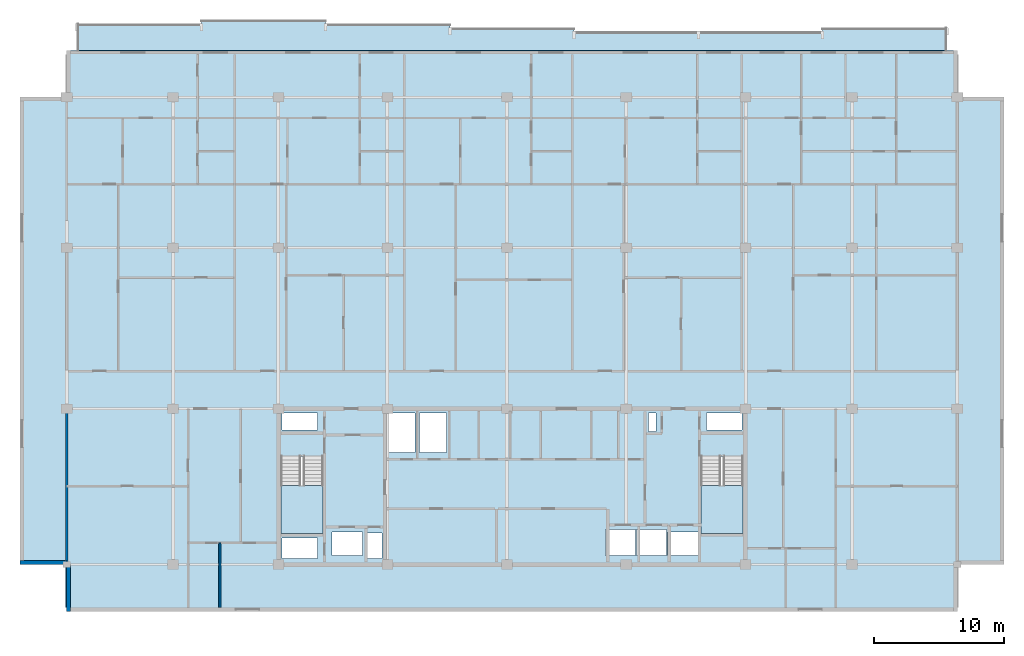
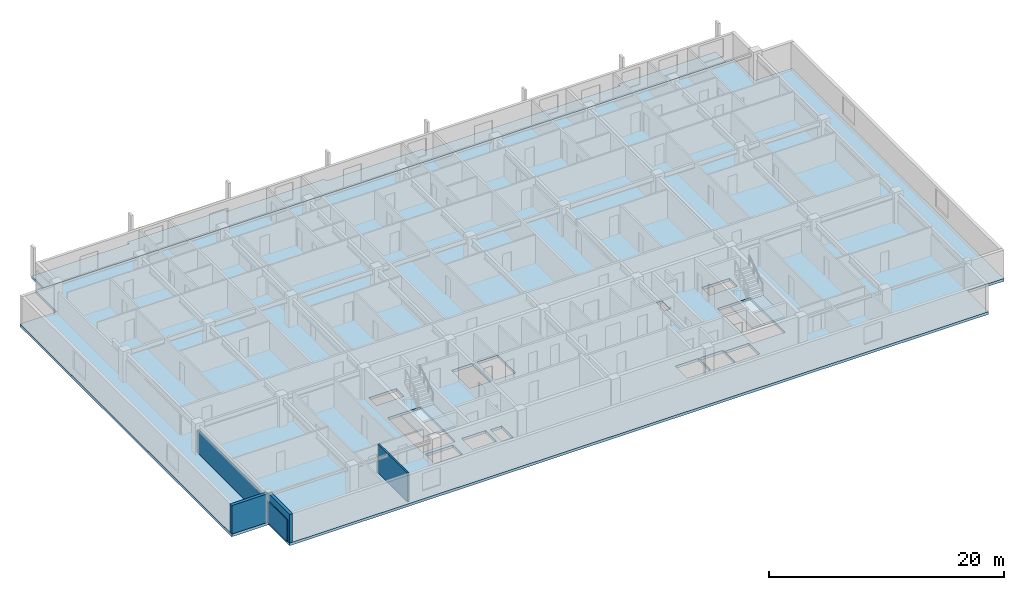
# One storey, part 2 of 11: 4 slabs, 4 walls, 2 elements without a shape of their own.
"""IFC4 building model written with IfcOpenShell, lengths in metres."""

from ifc_helpers import new_model, si_unit, direction, frame, frame_2d, origin, place, context, subcontext, project, spatial, polyline, rectangle, outline, extrude, material, layer, layer_set, type_object, element, aggregate, save


model = new_model("IFC4")

# Units and contexts
model_context = context("Model", 3, precision=1e-05, world=origin(), true_north=direction((0.0, 1.0)))
body_context = subcontext(model_context, "Body", "Model", "MODEL_VIEW")
ifc_project = project(units=[si_unit("LENGTHUNIT", "METRE"), si_unit("AREAUNIT", "SQUARE_METRE"), si_unit("VOLUMEUNIT", "CUBIC_METRE"), si_unit("PLANEANGLEUNIT", "RADIAN"), si_unit("MASSUNIT", "GRAM", prefix="KILO")], contexts=[model_context])

# Site, building, storey
site_placement = place(None, origin())
site = spatial("IfcSite", under=ifc_project, at=site_placement, CompositionType="ELEMENT")
building_placement = place(site_placement, origin())
building = spatial("IfcBuilding", under=site, at=building_placement, Name="Korimba Cascade Residences", CompositionType="ELEMENT")
storey_placement = place(building_placement, frame((0.0, 0.0, 210.85009765625)))
storey = spatial("IfcBuildingStorey", under=building, at=storey_placement, Name="L61", CompositionType="ELEMENT", Elevation=210.85009765625)

# Stair, slab
ifc_material_1 = material(Name="Concrete C50/60", Category="concrete")
stair_type_1 = type_object("IfcStairType", Name="STR-W1-18R-1806", PredefinedType="HALF_TURN_STAIR", material=ifc_material_1)
stair_1_placement = place(storey_placement, origin())
stair_1 = element("IfcStair", 1, at=stair_1_placement, inside=storey, type_object=stair_type_1, Name="L61 Tower 1 West Fire Stair ST-W1", PredefinedType="HALF_TURN_STAIR")
ifc_layer_1 = layer(ifc_material_1, 0.199951171875)
ifc_layer_set_1 = layer_set([ifc_layer_1], Name="Concrete C50/60")
slab_type_1 = type_object("IfcSlabType", Name="SLB-LND-220", PredefinedType="LANDING", material=ifc_layer_set_1)
slab_1_placement = place(storey_placement, frame((0.0, 0.0, 1.4248046875)))
slab_1 = element("IfcSlab", 2, at=slab_1_placement, type_object=slab_type_1, Name="ST-W1 landing 1", PredefinedType="LANDING", context=body_context, shape_type="SweptSolid", body=[
    extrude(outline(polyline([(76.300048828125, 61.31005859375), (76.300048828125, 57.60009765625), (79.5400390625, 57.60009765625), (79.5400390625, 61.31005859375), (76.300048828125, 61.31005859375)])), origin(), (0.0, 0.0, 1.0), 0.2001953125),
])
aggregate(stair_1, [slab_1])

stair_type_2 = type_object("IfcStairType", Name="STR-W2-18R-1806", PredefinedType="HALF_TURN_STAIR", material=ifc_material_1)
stair_2_placement = place(storey_placement, origin())
stair_2 = element("IfcStair", 3, at=stair_2_placement, inside=storey, type_object=stair_type_2, Name="L61 Tower 1 East Fire Stair ST-W2", PredefinedType="HALF_TURN_STAIR")
slab_2_placement = place(storey_placement, frame((0.0, 0.0, 1.4248046875)))
slab_2 = element("IfcSlab", 4, at=slab_2_placement, type_object=slab_type_1, Name="ST-W2 landing 1", PredefinedType="LANDING", context=body_context, shape_type="SweptSolid", body=[
    extrude(outline(polyline([(108.659912109375, 61.31005859375), (108.659912109375, 57.60009765625), (111.89990234375, 57.60009765625), (111.89990234375, 61.31005859375), (108.659912109375, 61.31005859375)])), origin(), (0.0, 0.0, 1.0), 0.2001953125),
])
aggregate(stair_2, [slab_2])

# Slabs
ifc_material_2 = material(Name="Precast concrete C40/50", Category="concrete")
ifc_layer_2 = layer(ifc_material_2, 0.239990234375)
ifc_layer_set_2 = layer_set([ifc_layer_2], Name="Precast concrete C40/50")
slab_type_2 = type_object("IfcSlabType", Name="SLB-LOG-240", PredefinedType="FLOOR", material=ifc_layer_set_2)
slab_3_placement = place(storey_placement, frame((0.0, 0.0, -0.239990234375)))
element("IfcSlab", 5, at=slab_3_placement, inside=storey, type_object=slab_type_2, Name="L61 Tower 1 North Loggia Slab", PredefinedType="FLOOR", context=body_context, shape_type="SweptSolid", body=[
    extrude(outline(polyline([(60.60009765625, 94.800048828125), (127.60009765625, 94.800048828125), (127.60009765625, 96.550048828125), (118.028564453125, 96.550048828125), (118.028564453125, 96.25), (98.8857421875, 96.25), (98.8857421875, 96.550048828125), (89.314208984375, 96.550048828125), (89.314208984375, 96.85009765625), (79.742919921875, 96.85009765625), (79.742919921875, 97.14990234375), (70.17138671875, 97.14990234375), (70.17138671875, 96.85009765625), (60.60009765625, 96.85009765625), (60.60009765625, 94.800048828125)])), origin(), (0.0, 0.0, 1.0), 0.239990234375),
])
ifc_layer_3 = layer(ifc_material_1, 0.280029296875)
ifc_layer_set_3 = layer_set([ifc_layer_3], Name="Concrete C50/60")
slab_type_3 = type_object("IfcSlabType", Name="SLB-TYP-280", PredefinedType="FLOOR", material=ifc_layer_set_3)
slab_4_placement = place(storey_placement, frame((0.0, 0.0, -0.280029296875)))
element("IfcSlab", 6, at=slab_4_placement, inside=storey, type_object=slab_type_3, Name="L61 Tower 1 Floor Slab", PredefinedType="FLOOR", context=body_context, shape_type="SweptSolid", body=[
    extrude(outline(polyline([(59.800048828125, 51.60009765625), (128.39990234375, 51.60009765625), (128.39990234375, 55.199951171875), (132.0, 55.199951171875), (132.0, 91.199951171875), (128.39990234375, 91.199951171875), (128.39990234375, 94.800048828125), (59.800048828125, 94.800048828125), (59.800048828125, 91.199951171875), (56.199951171875, 91.199951171875), (56.199951171875, 55.199951171875), (59.800048828125, 55.199951171875), (59.800048828125, 51.60009765625)]), holes=[polyline([(76.300048828125, 63.514892578125), (76.300048828125, 57.60009765625), (79.5400390625, 57.60009765625), (79.5400390625, 63.514892578125), (76.300048828125, 63.514892578125)]), polyline([(108.659912109375, 63.514892578125), (108.659912109375, 57.60009765625), (111.89990234375, 57.60009765625), (111.89990234375, 63.514892578125), (108.659912109375, 63.514892578125)]), polyline([(80.22998046875, 55.8798828125), (82.570068359375, 55.8798828125), (82.570068359375, 57.719970703125), (80.22998046875, 57.719970703125), (80.22998046875, 55.8798828125)]), polyline([(106.080078125, 55.8798828125), (108.419921875, 55.8798828125), (108.419921875, 57.719970703125), (106.080078125, 57.719970703125), (106.080078125, 55.8798828125)]), polyline([(101.304931640625, 55.8798828125), (103.594970703125, 55.8798828125), (103.594970703125, 57.919921875), (101.304931640625, 57.919921875), (101.304931640625, 55.8798828125)]), polyline([(103.705078125, 55.8798828125), (105.9951171875, 55.8798828125), (105.9951171875, 57.919921875), (103.705078125, 57.919921875), (103.705078125, 55.8798828125)]), polyline([(82.97998046875, 55.679931640625), (84.080078125, 55.679931640625), (84.080078125, 57.6201171875), (82.97998046875, 57.6201171875), (82.97998046875, 55.679931640625)]), polyline([(76.39990234375, 65.56005859375), (79.10009765625, 65.56005859375), (79.10009765625, 66.8798828125), (76.39990234375, 66.8798828125), (76.39990234375, 65.56005859375)]), polyline([(76.39990234375, 55.679931640625), (79.10009765625, 55.679931640625), (79.10009765625, 57.239990234375), (76.39990234375, 57.239990234375), (76.39990234375, 55.679931640625)]), polyline([(84.530029296875, 63.820068359375), (86.6201171875, 63.820068359375), (86.6201171875, 66.8798828125), (84.530029296875, 66.8798828125), (84.530029296875, 63.820068359375)]), polyline([(86.97998046875, 63.820068359375), (89.070068359375, 63.820068359375), (89.070068359375, 66.8798828125), (86.97998046875, 66.8798828125), (86.97998046875, 63.820068359375)]), polyline([(104.6201171875, 65.4599609375), (105.179931640625, 65.4599609375), (105.179931640625, 66.8798828125), (104.6201171875, 66.8798828125), (104.6201171875, 65.4599609375)]), polyline([(109.080078125, 65.56005859375), (111.800048828125, 65.56005859375), (111.800048828125, 66.8798828125), (109.080078125, 66.8798828125), (109.080078125, 65.56005859375)])]), origin(), (0.0, 0.0, 1.0), 0.280029296875),
])

# Walls
ifc_layer_4 = layer(ifc_material_2, 0.300048828125)
ifc_layer_set_4 = layer_set([ifc_layer_4], Name="Precast concrete C40/50")
wall_type_1 = type_object("IfcWallType", Name="EW-STONE-300", PredefinedType="STANDARD", material=ifc_layer_set_4)
wall_1_placement = place(storey_placement, frame((56.199951171875, 55.35009765625, 0.0), z_axis=(0.0, 0.0, 1.0), x_axis=(1.0, 0.0, 0.0)))
element("IfcWall", 7, at=wall_1_placement, inside=storey, type_object=wall_type_1, Name="L61 T1 Perimeter Stone Wall E10", PredefinedType="STANDARD", context=body_context, shape_type="SweptSolid", body=[
    extrude(rectangle(XDim=3.60009765625, YDim=0.300048828125, at=frame_2d((1.800048828125, 0.0))), origin(), (0.0, 0.0, 1.0), 2.969970703125),
])
wall_2_placement = place(storey_placement, frame((59.949951171875, 55.199951171875, 0.0), z_axis=(0.0, 0.0, 1.0), x_axis=(0.0, -1.0, 0.0)))
element("IfcWall", 8, at=wall_2_placement, inside=storey, type_object=wall_type_1, Name="L61 T1 Perimeter Stone Wall E11", PredefinedType="STANDARD", context=body_context, shape_type="SweptSolid", body=[
    extrude(rectangle(XDim=3.599853515625, YDim=0.300048828125, at=frame_2d((1.7998046875, 0.0))), origin(), (0.0, 0.0, 1.0), 2.969970703125),
])
ifc_layer_5 = layer(ifc_material_2, 0.199951171875)
ifc_layer_set_5 = layer_set([ifc_layer_5], Name="Precast concrete C40/50")
wall_type_2 = type_object("IfcWallType", Name="WAL-IT-200", PredefinedType="PARTITIONING", material=ifc_layer_set_5)
wall_3_placement = place(storey_placement, frame((59.800048828125, 51.89990234375, 0.0), z_axis=(0.0, 0.0, 1.0), x_axis=(0.0, 1.0, 0.0)))
element("IfcWall", 9, at=wall_3_placement, inside=storey, type_object=wall_type_2, Name="L61 Partition Wall WAL-L61-T1-FW-WL", PredefinedType="PARTITIONING", context=body_context, shape_type="SweptSolid", body=[
    extrude(rectangle(XDim=15.300048828125, YDim=0.199951171875, at=frame_2d((7.64990234375, 0.0))), origin(), (0.0, 0.0, 1.0), 2.277099609375),
])
ifc_material_3 = material(Name="Insulated Acoustic Stud Partition", Category="gypsum")
ifc_layer_6 = layer(ifc_material_3, 0.14990234375)
ifc_layer_set_6 = layer_set([ifc_layer_6], Name="Insulated Acoustic Stud Partition")
wall_type_3 = type_object("IfcWallType", Name="WAL-PART-150", PredefinedType="PARTITIONING", material=ifc_layer_set_6)
wall_4_placement = place(storey_placement, frame((71.60009765625, 51.89990234375, 0.0), z_axis=(0.0, 0.0, 1.0), x_axis=(0.0, 1.0, 0.0)))
element("IfcWall", 10, at=wall_4_placement, inside=storey, type_object=wall_type_3, Name="L61 Partition Wall WAL-L61-T1-FW-VS", PredefinedType="PARTITIONING", context=body_context, shape_type="SweptSolid", body=[
    extrude(rectangle(XDim=4.97021484375, YDim=0.14990234375, at=frame_2d((2.485107421875, 0.0))), origin(), (0.0, 0.0, 1.0), 2.969970703125),
])

save(model, "model.ifc")
